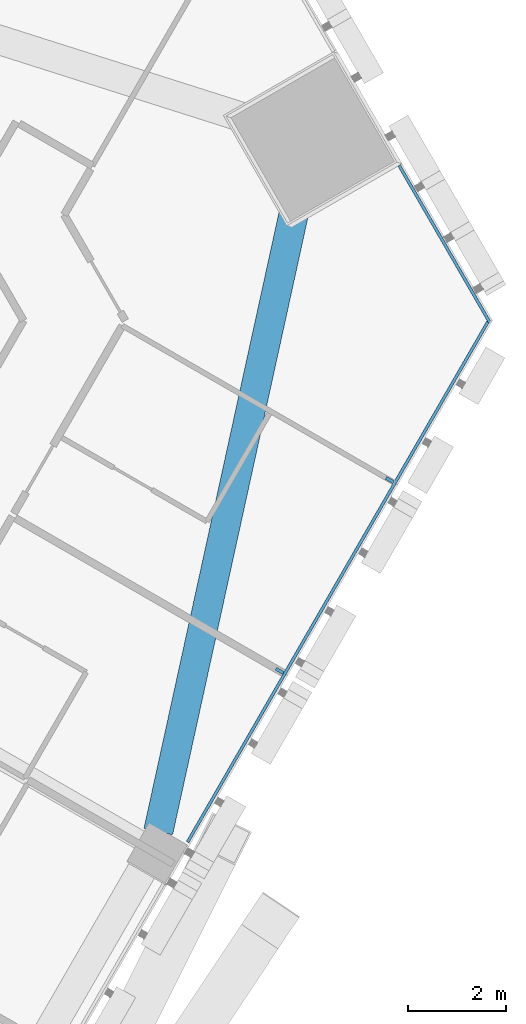
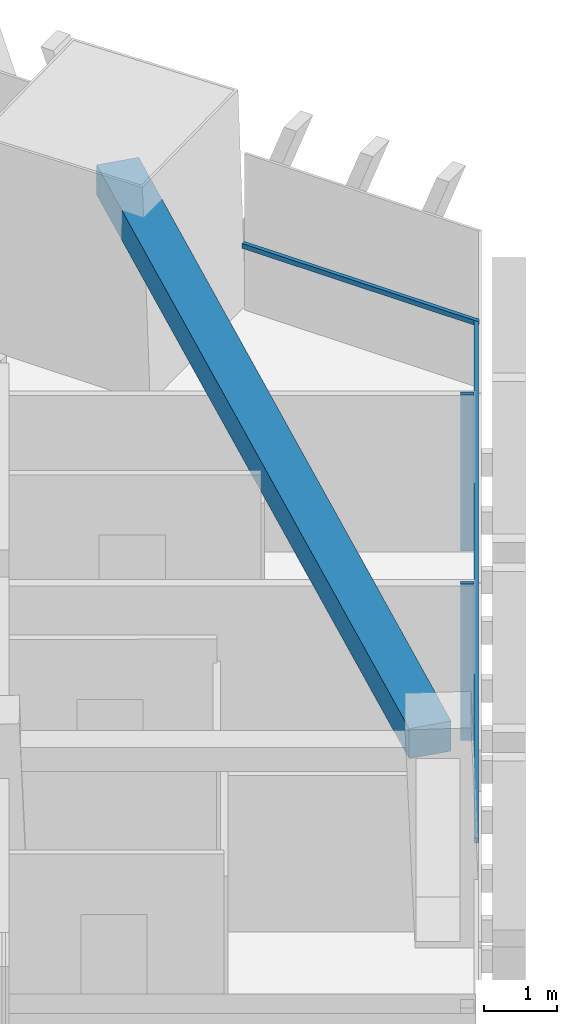
# One storey, part 14 of 24: 4 members, 1 beam, 2 elements without a shape of their own.
"""IFC4 building model written with IfcOpenShell, lengths in metres."""

import ifcopenshell
import ifcopenshell.guid

model = None  # the IFC model being written
_history = None  # IfcOwnerHistory: only IFC2X3 demands one
_inside = {}  # id of a spatial element -> (the spatial element, [elements in it])
_under = {}  # id of a project, library or spatial element -> (it, [spatial elements below it])
_declared = {}  # id of a project -> (the project, [libraries it declares])
_typed = {}  # id of a type object -> (the type object, [elements of that type])
_made_of = {}  # id of a material, layer set ... -> (it, [elements and type objects made of it])


def new_model(schema):
    """Start an empty IFC model of exactly this schema.

    Asked for "IFC4X3", IfcOpenShell would pick the latest addendum, in which some entities
    have other attributes; the version numbers below select the first issue.
    IFC2X3 requires an IfcOwnerHistory on every rooted entity: one is made here for all.
    """
    global model, _history
    if schema == "IFC4X3":
        model = ifcopenshell.file(schema_version=(4, 3, 0, 0))
    else:
        model = ifcopenshell.file(schema=schema)
    _inside.clear()
    _under.clear()
    _declared.clear()
    _typed.clear()
    _made_of.clear()
    _history = None
    if model.schema == "IFC2X3":
        org = make("IfcOrganization", Name="unknown")
        user = make(
            "IfcPersonAndOrganization",
            ThePerson=make("IfcPerson", FamilyName="unknown"),
            TheOrganization=org,
        )
        app = make(
            "IfcApplication",
            ApplicationDeveloper=org,
            Version="unknown",
            ApplicationFullName="unknown",
            ApplicationIdentifier="unknown",
        )
        _history = make(
            "IfcOwnerHistory",
            OwningUser=user,
            OwningApplication=app,
            ChangeAction="ADDED",
            CreationDate=0,
        )
    return model


def make(cls, **values):
    """One entity of the class cls with the attributes given. An attribute that is None is left unset."""
    return model.create_entity(
        cls, **{name: value for name, value in values.items() if value is not None}
    )


def rooted(cls, **values):
    """An entity with a GlobalId (a new one), such as an element, a storey or a relation."""
    return make(cls, GlobalId=ifcopenshell.guid.new(), OwnerHistory=_history, **values)


def si_unit(unit_type, name, prefix=None):
    """IfcSIUnit, for example si_unit("LENGTHUNIT", "METRE", prefix="MILLI")."""
    return make("IfcSIUnit", UnitType=unit_type, Prefix=prefix, Name=name)


def assignment(units):
    """IfcUnitAssignment: the units of a project."""
    return None if units is None else make("IfcUnitAssignment", Units=units)


def point(xyz):
    """IfcCartesianPoint."""
    return None if xyz is None else make("IfcCartesianPoint", Coordinates=xyz)


def direction(xyz):
    """IfcDirection."""
    return None if xyz is None else make("IfcDirection", DirectionRatios=xyz)


def frame(location, z_axis=None, x_axis=None):
    """IfcAxis2Placement3D, a coordinate frame: its origin and axes. An axis left out is left unset."""
    return make(
        "IfcAxis2Placement3D",
        Location=point(location),
        Axis=direction(z_axis),
        RefDirection=direction(x_axis),
    )


def frame_2d(location, x_axis=None):
    """IfcAxis2Placement2D, a coordinate frame in the plane: its origin and x axis."""
    return make(
        "IfcAxis2Placement2D", Location=point(location), RefDirection=direction(x_axis)
    )


def origin():
    """The frame at (0, 0, 0) with its axes left unset."""
    return frame((0.0, 0.0, 0.0))


def origin_2d():
    """The frame at (0, 0) in the plane with its x axis left unset."""
    return frame_2d((0.0, 0.0))


def place(relative_to, where):
    """IfcLocalPlacement: puts the frame where relative to a parent placement (None: the world)."""
    return make(
        "IfcLocalPlacement", PlacementRelTo=relative_to, RelativePlacement=where
    )


def context(
    kind, dimensions, precision=None, world=None, true_north=None, identifier=None
):
    """IfcGeometricRepresentationContext, for example the 3D "Model" context."""
    return make(
        "IfcGeometricRepresentationContext",
        ContextIdentifier=identifier,
        ContextType=kind,
        CoordinateSpaceDimension=dimensions,
        Precision=precision,
        WorldCoordinateSystem=world,
        TrueNorth=true_north,
    )


def subcontext(parent, identifier, kind, view, scale=None):
    """IfcGeometricRepresentationSubContext, for example "Body" below "Model"."""
    return make(
        "IfcGeometricRepresentationSubContext",
        ContextIdentifier=identifier,
        ContextType=kind,
        ParentContext=parent,
        TargetScale=scale,
        TargetView=view,
    )


def project(units=None, contexts=None):
    """IfcProject with its units and contexts."""
    return rooted(
        "IfcProject",
        Name="project",
        RepresentationContexts=contexts,
        UnitsInContext=assignment(units),
    )


def spatial(cls, under=None, at=None, **own):
    """A site, building, storey or space (cls), placed at a placement, below another one or the project."""
    s = rooted(cls, ObjectPlacement=at, **own)
    if under is not None:
        _under.setdefault(under.id(), (under, []))[1].append(s)
    return s


def profile(cls, at=None, kind="AREA", **sizes):
    """A parametric profile (cls). Its sizes go by their IFC names, for example OverallWidth=200.0."""
    return make(cls, ProfileType=kind, Position=at, **sizes)


def rectangle(**sizes):
    """IfcRectangleProfileDef."""
    return profile("IfcRectangleProfileDef", **sizes)


def extrude(swept, where, along, depth):
    """IfcExtrudedAreaSolid: the profile swept, set in the frame where, extruded along a direction by depth."""
    return make(
        "IfcExtrudedAreaSolid",
        SweptArea=swept,
        Position=where,
        ExtrudedDirection=direction(along),
        Depth=depth,
    )


def shape(context_of_items, identifier, shape_type, items):
    """IfcShapeRepresentation: the items that make up one representation, for example the "Body"."""
    return make(
        "IfcShapeRepresentation",
        ContextOfItems=context_of_items,
        RepresentationIdentifier=identifier,
        RepresentationType=shape_type,
        Items=items,
    )


def material(Name=None, Category=None):
    """IfcMaterial."""
    return make("IfcMaterial", Name=Name, Category=Category)


def layer(
    of_material, thickness, ventilated=None, Name=None, Category=None, Priority=None
):
    """IfcMaterialLayer: one layer of a wall or slab, of a material (None: an air gap)."""
    return make(
        "IfcMaterialLayer",
        Material=of_material,
        LayerThickness=thickness,
        IsVentilated=ventilated,
        Name=Name,
        Category=Category,
        Priority=Priority,
    )


def layer_set(layers, Name=None):
    """IfcMaterialLayerSet."""
    return make("IfcMaterialLayerSet", MaterialLayers=layers, LayerSetName=Name)


def material_profile(
    of_material, cross_section, Name=None, Category=None, Priority=None
):
    """IfcMaterialProfile: a cross section and its material."""
    return make(
        "IfcMaterialProfile",
        Name=Name,
        Material=of_material,
        Profile=cross_section,
        Priority=Priority,
        Category=Category,
    )


def profile_set(profiles, Name=None, composite=None):
    """IfcMaterialProfileSet."""
    return make(
        "IfcMaterialProfileSet",
        Name=Name,
        MaterialProfiles=profiles,
        CompositeProfile=composite,
    )


def made_of(thing, what):
    """Note that an element or type object is made of a material, layer set ...; save() writes the relation."""
    if what is not None:
        _made_of.setdefault(what.id(), (what, []))[1].append(thing)
    return thing


def type_object(cls, material=None, **own):
    """A type object (cls), such as IfcWallType, which elements share."""
    return made_of(rooted(cls, **own), material)


def element(
    cls,
    number,
    at=None,
    inside=None,
    cuts=None,
    type_object=None,
    material=None,
    context=None,
    identifier="Body",
    shape_type=None,
    held_by="IfcProductDefinitionShape",
    body=None,
    shapes=None,
    **own,
):
    """One element of the class cls, such as IfcWall. Its Tag is "e" and its number.

    at: its placement. inside: the storey or other place that contains it. cuts: it is an
    opening in that element (IfcRelVoidsElement). A single representation is given by context,
    identifier, shape_type and body (its items); several are given by shapes. held_by: the class
    of the entity that holds the representations. save() writes the other relations.
    """
    e = rooted(cls, Tag="e%d" % number, ObjectPlacement=at, **own)
    if body is not None:
        shapes = [shape(context, identifier, shape_type, body)]
    if shapes is not None:
        e.Representation = make(held_by, Representations=shapes)
    if inside is not None:
        _inside.setdefault(inside.id(), (inside, []))[1].append(e)
    if cuts is not None:
        rooted(
            "IfcRelVoidsElement", RelatingBuildingElement=cuts, RelatedOpeningElement=e
        )
    if type_object is not None:
        _typed.setdefault(type_object.id(), (type_object, []))[1].append(e)
    return made_of(e, material)


def aggregate(whole, parts):
    """IfcRelAggregates: a whole, such as a stair, and the parts it consists of."""
    return rooted("IfcRelAggregates", RelatingObject=whole, RelatedObjects=parts)


def save(model, path):
    """Write the relations noted so far, then the file.

    IfcRelAggregates (storeys below a building ...), IfcRelContainedInSpatialStructure (elements
    in a storey), IfcRelDefinesByType, IfcRelAssociatesMaterial and IfcRelDeclares: one each for
    every whole, place, type object, material and project.
    """
    for whole, parts in _under.values():
        aggregate(whole, parts)
    for where, things in _inside.values():
        rooted(
            "IfcRelContainedInSpatialStructure",
            RelatedElements=things,
            RelatingStructure=where,
        )
    for kind, things in _typed.values():
        rooted("IfcRelDefinesByType", RelatedObjects=things, RelatingType=kind)
    for what, things in _made_of.values():
        rooted("IfcRelAssociatesMaterial", RelatedObjects=things, RelatingMaterial=what)
    for by, libraries in _declared.values():
        rooted("IfcRelDeclares", RelatingContext=by, RelatedDefinitions=libraries)
    model.write(path)


model = new_model("IFC4")

# Units and contexts
model_context = context("Model", 3, precision=1e-05, world=origin(), true_north=direction((0.0, 1.0)))
body_context = subcontext(model_context, "Body", "Model", "MODEL_VIEW")
ifc_project = project(units=[si_unit("LENGTHUNIT", "METRE"), si_unit("AREAUNIT", "SQUARE_METRE"), si_unit("VOLUMEUNIT", "CUBIC_METRE"), si_unit("PLANEANGLEUNIT", "RADIAN"), si_unit("MASSUNIT", "GRAM", prefix="KILO")], contexts=[model_context])

# Site, building, storey
site_placement = place(None, origin())
site = spatial("IfcSite", under=ifc_project, at=site_placement, CompositionType="ELEMENT")
building_placement = place(site_placement, origin())
building = spatial("IfcBuilding", under=site, at=building_placement, Name="Altiplano Prism Tower", CompositionType="ELEMENT")
storey_placement = place(building_placement, frame((0.0, 0.0, 27.0)))
storey = spatial("IfcBuildingStorey", under=building, at=storey_placement, Name="L05", CompositionType="ELEMENT", Elevation=27.0)

# Curtain wall, members
ifc_material_1 = material(Name="Aluminium and glass", Category="aluminium")
ifc_layer = layer(ifc_material_1, 0.280029296875)
ifc_layer_set = layer_set([ifc_layer], Name="Aluminium and glass")
curtain_wall_type = type_object("IfcCurtainWallType", Name="CW1 typical co-living unitised curtain wall", PredefinedType="NOTDEFINED", material=ifc_layer_set)
curtain_wall_1_placement = place(storey_placement, origin())
curtain_wall_1 = element("IfcCurtainWall", 1, at=curtain_wall_1_placement, inside=storey, type_object=curtain_wall_type, Name="CW1 curtain wall south-east face L05", PredefinedType="NOTDEFINED")
ifc_material_2 = material(Name="Aluminium", Category="aluminium")
ifc_material_profile_1 = material_profile(ifc_material_2, rectangle(XDim=0.179931640625, YDim=0.06494140625, at=origin_2d()), Name="CW1 mullion 65 x 180")
ifc_profile_set_1 = profile_set([ifc_material_profile_1], Name="Aluminium")
member_type_1 = type_object("IfcMemberType", Name="CW1 mullion 65 x 180", PredefinedType="MULLION", material=ifc_profile_set_1)
member_1_placement = place(storey_placement, frame((112.02197265625, 89.183349609375, 0.0), z_axis=(0.0, 0.0, 1.0), x_axis=(-0.866025403802, 0.49999999997, 0.0)))
member_1 = element("IfcMember", 2, at=member_1_placement, type_object=member_type_1, Name="CW1 mullion", PredefinedType="MULLION", context=body_context, shape_type="SweptSolid", body=[
    extrude(rectangle(XDim=0.179931640625, YDim=0.06494140625, at=origin_2d()), origin(), (0.0, 0.0, 1.0), 2.60009765625),
])
member_2_placement = place(storey_placement, frame((114.27197265625, 93.08056640625, 0.0), z_axis=(0.0, 0.0, 1.0), x_axis=(-0.866025403802, 0.49999999997, 0.0)))
member_2 = element("IfcMember", 3, at=member_2_placement, type_object=member_type_1, Name="CW1 mullion", PredefinedType="MULLION", context=body_context, shape_type="SweptSolid", body=[
    extrude(rectangle(XDim=0.179931640625, YDim=0.06494140625, at=origin_2d()), origin(), (0.0, 0.0, 1.0), 2.60009765625),
])
ifc_material_profile_2 = material_profile(ifc_material_2, rectangle(XDim=0.06005859375, YDim=0.080078125, at=origin_2d()), Name="CW1 transom 80 x 60")
ifc_profile_set_2 = profile_set([ifc_material_profile_2], Name="Aluminium")
member_type_2 = type_object("IfcMemberType", Name="CW1 transom 80 x 60", PredefinedType="USERDEFINED", material=ifc_profile_set_2)
member_3_placement = place(storey_placement, frame((110.140625, 85.684814453125, 1.10009765625), z_axis=(0.500002093262, 0.866024195236, 0.0), x_axis=(-0.866024195236, 0.500002093262, 0.0)))
member_3 = element("IfcMember", 4, at=member_3_placement, type_object=member_type_2, Name="CW1 transom", ObjectType="TRANSOM", PredefinedType="USERDEFINED", context=body_context, shape_type="SweptSolid", body=[
    extrude(rectangle(XDim=0.06005859375, YDim=0.080078125, at=origin_2d()), origin(), (0.0, 0.0, 1.0), 12.34375),
])
aggregate(curtain_wall_1, [member_1, member_2, member_3])

# Curtain wall, member
curtain_wall_2_placement = place(storey_placement, origin())
curtain_wall_2 = element("IfcCurtainWall", 5, at=curtain_wall_2_placement, inside=storey, type_object=curtain_wall_type, Name="CW1 curtain wall north-east chamfer L05", PredefinedType="NOTDEFINED")
member_4_placement = place(storey_placement, frame((116.3125, 96.3046875, 1.10009765625), z_axis=(-0.500013743233, 0.86601746898, 0.0), x_axis=(-0.86601746898, -0.500013743233, 0.0)))
member_4 = element("IfcMember", 6, at=member_4_placement, type_object=member_type_2, Name="CW1 transom", ObjectType="TRANSOM", PredefinedType="USERDEFINED", context=body_context, shape_type="SweptSolid", body=[
    extrude(rectangle(XDim=0.06005859375, YDim=0.080078125, at=origin_2d()), origin(), (0.0, 0.0, 1.0), 3.7001953125),
])
aggregate(curtain_wall_2, [member_4])

# Beam
ifc_material_3 = material(Name="Concrete C60/75", Category="concrete")
ifc_material_profile_3 = material_profile(ifc_material_3, rectangle(XDim=0.60009765625, YDim=0.5, at=origin_2d()), Name="Edge beam 600x500")
ifc_profile_set_3 = profile_set([ifc_material_profile_3], Name="Concrete C60/75")
beam_type = type_object("IfcBeamType", Name="Edge beam 600x500", PredefinedType="SPANDREL", material=ifc_profile_set_3)
beam_placement = place(storey_placement, frame((109.542236328125, 85.89892578125, 2.85009765625), z_axis=(0.214123649733, 0.976806563566, 0.0), x_axis=(-0.976806563566, 0.214123649733, 0.0)))
element("IfcBeam", 7, at=beam_placement, inside=storey, type_object=beam_type, Name="Edge beam P24-M2 L06", PredefinedType="SPANDREL", context=body_context, shape_type="SweptSolid", body=[
    extrude(rectangle(XDim=0.60009765625, YDim=0.5, at=origin_2d()), origin(), (0.0, 0.0, 1.0), 14.040283203125),
])

save(model, "model.ifc")
